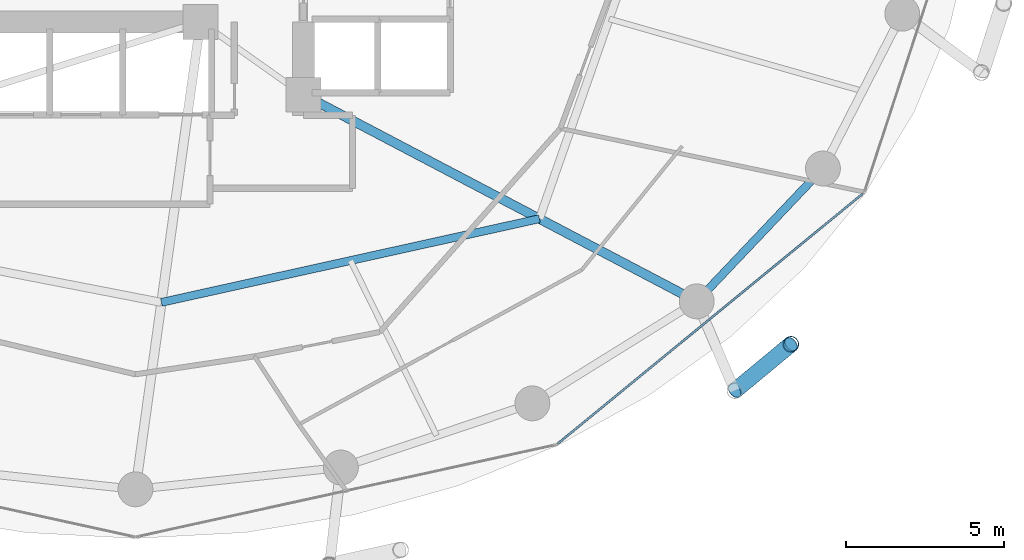
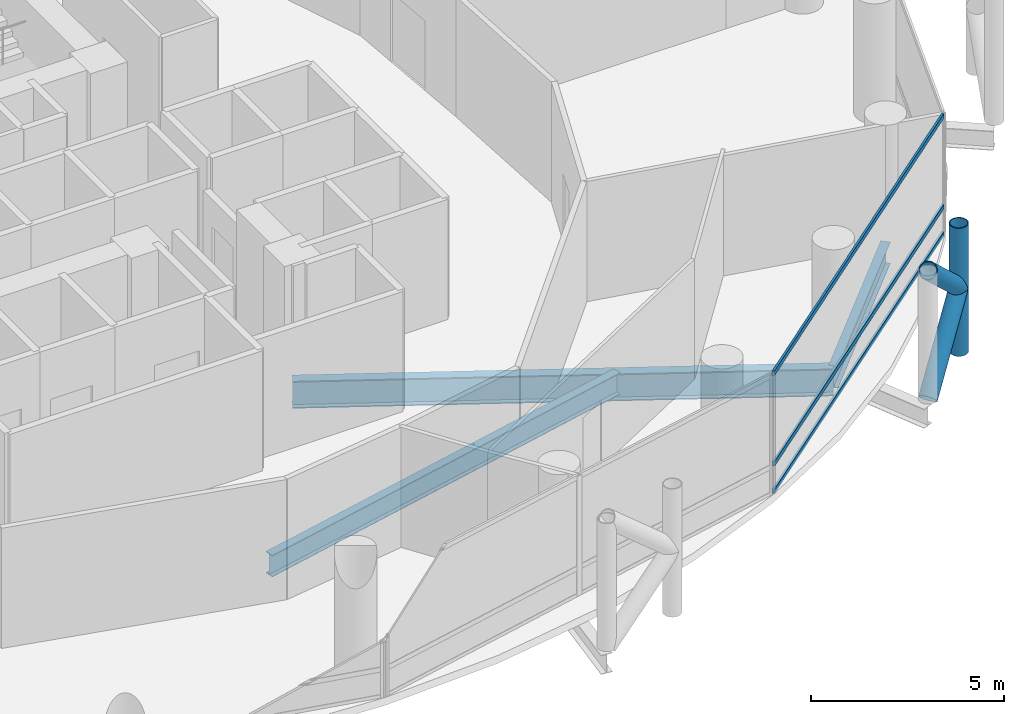
# One storey, part 9 of 24: 6 members, 3 beams, 1 element without a shape of its own.
"""IFC4 building model written with IfcOpenShell, lengths in metres."""

from ifc_helpers import new_model, si_unit, direction, frame, origin, origin_2d, place, context, subcontext, project, spatial, hollow_rectangle, hollow_circle, i_section, extrude, material, layer, layer_set, material_profile, profile_set, type_object, element, aggregate, save


model = new_model("IFC4")

# Units and contexts
model_context = context("Model", 3, precision=1e-05, world=origin(), true_north=direction((0.0, 1.0)))
body_context = subcontext(model_context, "Body", "Model", "MODEL_VIEW")
ifc_project = project(units=[si_unit("LENGTHUNIT", "METRE"), si_unit("AREAUNIT", "SQUARE_METRE"), si_unit("VOLUMEUNIT", "CUBIC_METRE"), si_unit("PLANEANGLEUNIT", "RADIAN"), si_unit("MASSUNIT", "GRAM", prefix="KILO")], contexts=[model_context])

# Site, building, storey
site_placement = place(None, origin())
site = spatial("IfcSite", under=ifc_project, at=site_placement, CompositionType="ELEMENT")
building_placement = place(site_placement, origin())
building = spatial("IfcBuilding", under=site, at=building_placement, Name="Nuhasar Tower", CompositionType="ELEMENT")
storey_placement = place(building_placement, frame((0.0, 0.0, 81.75)))
storey = spatial("IfcBuildingStorey", under=building, at=storey_placement, Name="L19", CompositionType="ELEMENT", Elevation=81.75)

# Beams
ifc_material_1 = material(Name="Steel S355", Category="steel")
ifc_material_profile_1 = material_profile(ifc_material_1, i_section(OverallWidth=0.25390625, OverallDepth=0.68408203125, WebThickness=0.012451171875, FlangeThickness=0.018798828125, at=origin_2d()), Name="W27X94")
ifc_profile_set_1 = profile_set([ifc_material_profile_1], Name="Steel S355")
beam_type_1 = type_object("IfcBeamType", Name="BM-INRING-W27X94", PredefinedType="BEAM", material=ifc_profile_set_1)
beam_1_placement = place(storey_placement, frame((39.820068359375, 12.449951171875, -0.592041015625), z_axis=(0.976386023343, 0.216033176665, 0.0), x_axis=(-0.216033176665, 0.976386023343, 0.0)))
element("IfcBeam", 1, at=beam_1_placement, inside=storey, type_object=beam_type_1, Name="L19 Inner Header Beam 02", PredefinedType="BEAM", context=body_context, shape_type="SweptSolid", body=[
    extrude(i_section(OverallWidth=0.25390625, OverallDepth=0.68408203125, WebThickness=0.012451171875, FlangeThickness=0.018798828125, at=origin_2d()), origin(), (0.0, 0.0, 1.0), 12.216552734375),
])
ifc_material_profile_2 = material_profile(ifc_material_1, i_section(OverallWidth=0.2919921875, OverallDepth=0.85888671875, WebThickness=0.01708984375, FlangeThickness=0.031005859375, at=origin_2d()), Name="W33X169")
ifc_profile_set_2 = profile_set([ifc_material_profile_2], Name="Steel S355")
beam_type_2 = type_object("IfcBeamType", Name="BM-POD-W33X169", PredefinedType="BEAM", material=ifc_profile_set_2)
beam_2_placement = place(storey_placement, frame((44.300048828125, 19.0, -0.679931640625), z_axis=(0.885330348705, -0.464962550816, 0.0), x_axis=(0.464962550816, 0.885330348705, 0.0)))
element("IfcBeam", 2, at=beam_2_placement, inside=storey, type_object=beam_type_2, Name="L19 Radial Floor Girder 03", PredefinedType="BEAM", context=body_context, shape_type="SweptSolid", body=[
    extrude(i_section(OverallWidth=0.2919921875, OverallDepth=0.85888671875, WebThickness=0.01708984375, FlangeThickness=0.031005859375, at=origin_2d()), origin(), (0.0, 0.0, 1.0), 14.0205078125),
])
ifc_material_profile_3 = material_profile(ifc_material_1, i_section(OverallWidth=0.256103515625, OverallDepth=0.693115234375, WebThickness=0.014404296875, FlangeThickness=0.023681640625, at=origin_2d()), Name="W27X114")
ifc_profile_set_3 = profile_set([ifc_material_profile_3], Name="Steel S355")
beam_type_3 = type_object("IfcBeamType", Name="BM-RING-W27X114", PredefinedType="SPANDREL", material=ifc_profile_set_3)
beam_3_placement = place(storey_placement, frame((56.712890625, 12.48095703125, -0.596923828125), z_axis=(0.688459812429, 0.725274490569, 0.0), x_axis=(-0.725274490569, 0.688459812429, 0.0)))
element("IfcBeam", 3, at=beam_3_placement, inside=storey, type_object=beam_type_3, Name="L19 Perimeter Ring Spandrel 22", PredefinedType="SPANDREL", context=body_context, shape_type="SweptSolid", body=[
    extrude(i_section(OverallWidth=0.256103515625, OverallDepth=0.693115234375, WebThickness=0.014404296875, FlangeThickness=0.023681640625, at=origin_2d()), origin(), (0.0, 0.0, 1.0), 5.78271484375),
])

# Curtain wall, members
ifc_material_2 = material(Name="Aluminium 6063-T6", Category="aluminium")
ifc_layer = layer(ifc_material_2, 0.199951171875)
ifc_layer_set = layer_set([ifc_layer], Name="Aluminium 6063-T6")
curtain_wall_type = type_object("IfcCurtainWallType", Name="CW-Z1-OFF", PredefinedType="NOTDEFINED", material=ifc_layer_set)
curtain_wall_placement = place(storey_placement, origin())
curtain_wall = element("IfcCurtainWall", 4, at=curtain_wall_placement, inside=storey, type_object=curtain_wall_type, Name="L19 Unitised Curtain Wall 11", PredefinedType="NOTDEFINED")
ifc_material_profile_4 = material_profile(ifc_material_2, hollow_rectangle(XDim=0.06494140625, YDim=0.14990234375, WallThickness=0.00439453125, at=origin_2d()), Name="CWT-2")
ifc_profile_set_4 = profile_set([ifc_material_profile_4], Name="Aluminium 6063-T6")
member_type_1 = type_object("IfcMemberType", Name="CW-TRN-S2", PredefinedType="USERDEFINED", material=ifc_profile_set_4)
member_1_placement = place(storey_placement, frame((52.330322265625, 7.99609375, 0.032470703125), z_axis=(0.773531229158, 0.633758185365, 0.0), x_axis=(-0.633758185365, 0.773531229158, 0.0)))
member_1 = element("IfcMember", 5, at=member_1_placement, type_object=member_type_1, Name="CW-Z1 transom 1.1", ObjectType="TRANSOM", PredefinedType="USERDEFINED", context=body_context, shape_type="SweptSolid", body=[
    extrude(hollow_rectangle(XDim=0.06494140625, YDim=0.14990234375, WallThickness=0.00439453125, at=origin_2d()), origin(), (0.0, 0.0, 1.0), 12.438232421875),
])
member_2_placement = place(storey_placement, frame((52.330322265625, 7.99609375, 0.89990234375), z_axis=(0.773531229158, 0.633758185365, 0.0), x_axis=(-0.633758185365, 0.773531229158, 0.0)))
member_2 = element("IfcMember", 6, at=member_2_placement, type_object=member_type_1, Name="CW-Z1 transom 1.2", ObjectType="TRANSOM", PredefinedType="USERDEFINED", context=body_context, shape_type="SweptSolid", body=[
    extrude(hollow_rectangle(XDim=0.06494140625, YDim=0.14990234375, WallThickness=0.00439453125, at=origin_2d()), origin(), (0.0, 0.0, 1.0), 12.438232421875),
])
member_3_placement = place(storey_placement, frame((52.330322265625, 7.99609375, 3.767578125), z_axis=(0.773531229158, 0.633758185365, 0.0), x_axis=(-0.633758185365, 0.773531229158, 0.0)))
member_3 = element("IfcMember", 7, at=member_3_placement, type_object=member_type_1, Name="CW-Z1 transom 1.3", ObjectType="TRANSOM", PredefinedType="USERDEFINED", context=body_context, shape_type="SweptSolid", body=[
    extrude(hollow_rectangle(XDim=0.06494140625, YDim=0.14990234375, WallThickness=0.00439453125, at=origin_2d()), origin(), (0.0, 0.0, 1.0), 12.438232421875),
])
aggregate(curtain_wall, [member_1, member_2, member_3])

# Members
ifc_material_3 = material(Name="Steel S460", Category="steel")
ifc_material_profile_5 = material_profile(ifc_material_3, hollow_circle(Radius=0.25390625, WallThickness=0.025390625, at=origin_2d()), Name="HSS508X25.4")
ifc_profile_set_5 = profile_set([ifc_material_profile_5], Name="Steel S460")
member_type_2 = type_object("IfcMemberType", Name="EXO-BRONZE-508", PredefinedType="BRACE", material=ifc_profile_set_5)
member_4_placement = place(storey_placement, frame((59.68505859375, 11.12890625, 0.0), z_axis=(0.0, 0.0, 1.0), x_axis=(1.0, 0.0, 0.0)))
element("IfcMember", 8, at=member_4_placement, inside=storey, type_object=member_type_2, Name="L19 Exoskeleton Chord Column EC-11B", PredefinedType="BRACE", context=body_context, shape_type="SweptSolid", body=[
    extrude(hollow_circle(Radius=0.25390625, WallThickness=0.025390625, at=origin_2d()), origin(), (0.0, 0.0, 1.0), 4.050048828125),
])
member_5_placement = place(storey_placement, frame((57.9130859375, 9.660888671875, 0.0), z_axis=(0.578101613167, 0.478937034992, 0.660619286251), x_axis=(-0.637969333506, 0.770061769929, 0.0)))
element("IfcMember", 9, at=member_5_placement, inside=storey, type_object=member_type_2, Name="L19 Bronze Diagrid Brace W1-11", PredefinedType="BRACE", context=body_context, shape_type="SweptSolid", body=[
    extrude(hollow_circle(Radius=0.25390625, WallThickness=0.025390625, at=origin_2d()), origin(), (0.0, 0.0, 1.0), 3.065185546875),
])
member_6_placement = place(storey_placement, frame((59.68505859375, 11.12890625, 2.02490234375), z_axis=(-0.578071194894, -0.478911834514, 0.660664172175), x_axis=(0.637969333506, -0.770061769929, 0.0)))
element("IfcMember", 10, at=member_6_placement, inside=storey, type_object=member_type_2, Name="L19 Bronze Diagrid Brace W2-11", PredefinedType="BRACE", context=body_context, shape_type="SweptSolid", body=[
    extrude(hollow_circle(Radius=0.25390625, WallThickness=0.025390625, at=origin_2d()), origin(), (0.0, 0.0, 1.0), 3.0654296875),
])

save(model, "model.ifc")
